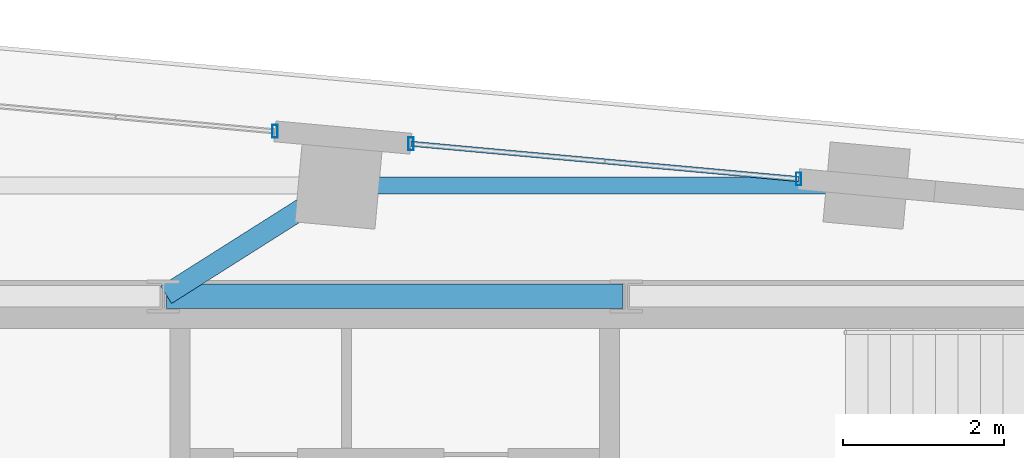
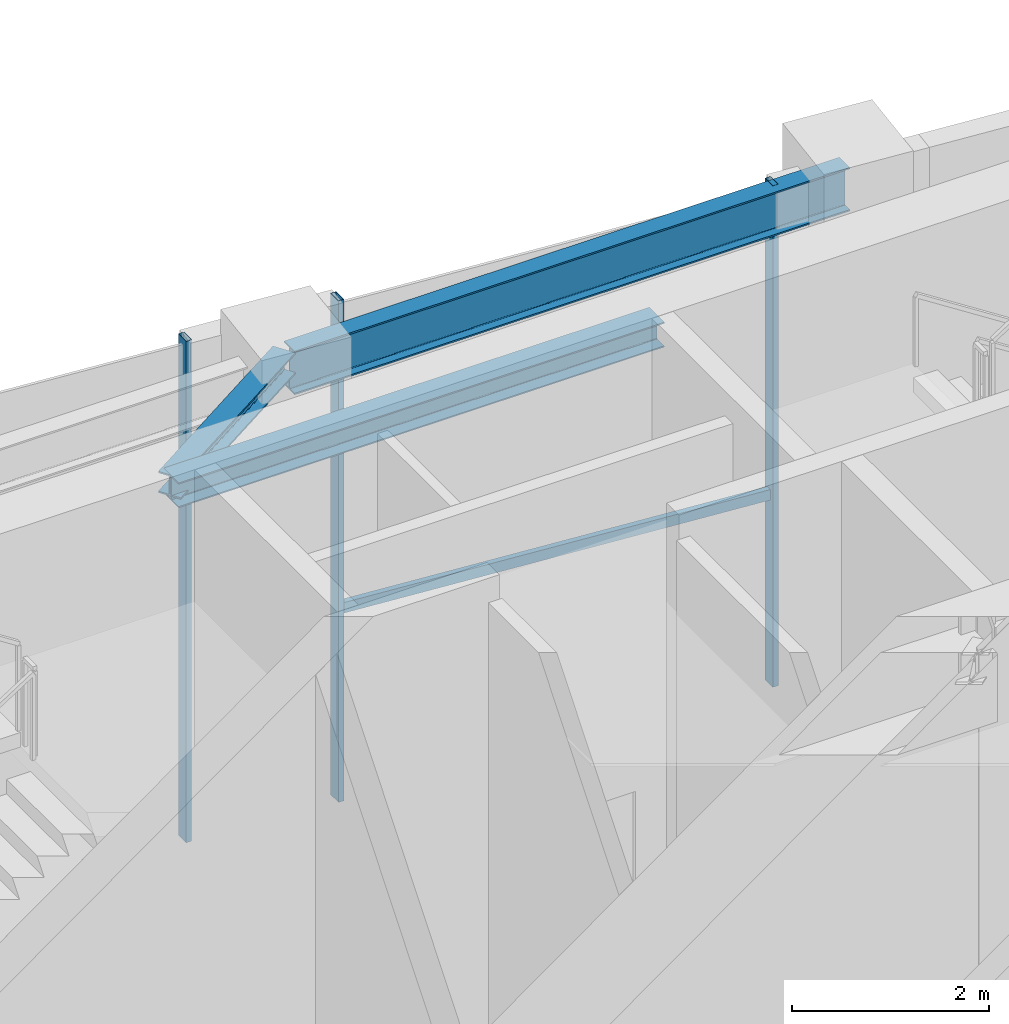
# One storey, part 8 of 18: 4 members, 3 beams, 2 elements without a shape of their own.
"""IFC4 building model written with IfcOpenShell, lengths in metres."""

from ifc_helpers import new_model, si_unit, direction, frame, origin, origin_2d, place, context, subcontext, project, spatial, hollow_rectangle, i_section, extrude, source, transform, mapped, material, material_profile, profile_set, type_object, type_shapes, element, aggregate, save


model = new_model("IFC4")

# Units and contexts
model_context = context("Model", 3, precision=1e-05, world=origin(), true_north=direction((0.0, 1.0)))
body_context = subcontext(model_context, "Body", "Model", "MODEL_VIEW")
ifc_project = project(units=[si_unit("LENGTHUNIT", "METRE"), si_unit("AREAUNIT", "SQUARE_METRE"), si_unit("VOLUMEUNIT", "CUBIC_METRE"), si_unit("PLANEANGLEUNIT", "RADIAN"), si_unit("MASSUNIT", "GRAM", prefix="KILO")], contexts=[model_context])

# Site, building, storey
site_placement = place(None, origin())
site = spatial("IfcSite", under=ifc_project, at=site_placement, CompositionType="ELEMENT")
building_placement = place(site_placement, origin())
building = spatial("IfcBuilding", under=site, at=building_placement, Name="Astriad Promenade Condominiums", CompositionType="ELEMENT")
storey_placement = place(building_placement, frame((0.0, 0.0, 264.300048828125)))
storey = spatial("IfcBuildingStorey", under=building, at=storey_placement, Name="L76", CompositionType="ELEMENT", Elevation=264.300048828125)

# Beams
ifc_material_1 = material(Name="Steel ASTM A992 Grade 50", Category="steel")
ifc_material_profile_1 = material_profile(ifc_material_1, i_section(OverallWidth=0.3046875, OverallDepth=0.307861328125, WebThickness=0.010009765625, FlangeThickness=0.015380859375, FilletRadius=0.01513671875, at=origin_2d()), Name="W12X65")
ifc_profile_set_1 = profile_set([ifc_material_profile_1], Name="Steel ASTM A992 Grade 50")
beam_type_1 = type_object("IfcBeamType", Name="STEEL OPENING LINTEL W12X65", PredefinedType="LINTEL", material=ifc_profile_set_1)
shared_shape_1 = source(origin(), body_context, "Body", "SweptSolid", [
    extrude(i_section(OverallWidth=0.3046875, OverallDepth=0.307861328125, WebThickness=0.010009765625, FlangeThickness=0.015380859375, FilletRadius=0.01513671875, at=origin_2d()), origin(), (0.0, 0.0, 1.0), 5.68017578125),
])
type_shapes(beam_type_1, [shared_shape_1])
beam_1_placement = place(storey_placement, frame((33.159912109375, 24.0, 6.046142578125), z_axis=(1.0, 0.0, 0.0), x_axis=(0.0, 1.0, 0.0)))
element("IfcBeam", 1, at=beam_1_placement, inside=storey, type_object=beam_type_1, Name="Core Ring Beam CG-N2-L76", PredefinedType="LINTEL", context=body_context, shape_type="MappedRepresentation", body=[
    mapped(shared_shape_1, transform((0.0, 0.0, 0.0), scale=1.0)),
])
ifc_material_profile_2 = material_profile(ifc_material_1, i_section(OverallWidth=0.210693359375, OverallDepth=0.53955078125, WebThickness=0.01171875, FlangeThickness=0.018798828125, FilletRadius=0.0166015625, at=origin_2d()), Name="W21X73")
ifc_profile_set_2 = profile_set([ifc_material_profile_2], Name="Steel ASTM A992 Grade 50")
beam_type_2 = type_object("IfcBeamType", Name="STEEL SPANDREL BEAM W21X73", PredefinedType="SPANDREL", material=ifc_profile_set_2)
shared_shape_2 = source(origin(), body_context, "Body", "SweptSolid", [
    extrude(i_section(OverallWidth=0.210693359375, OverallDepth=0.53955078125, WebThickness=0.01171875, FlangeThickness=0.018798828125, FilletRadius=0.0166015625, at=origin_2d()), origin(), (0.0, 0.0, 1.0), 6.49267578125),
])
type_shapes(beam_type_2, [shared_shape_2])
beam_2_placement = place(storey_placement, frame((41.8330078125, 25.3798828125, 5.93017578125), z_axis=(-1.0, 0.0, 0.0), x_axis=(0.0, -1.0, 0.0)))
element("IfcBeam", 2, at=beam_2_placement, inside=storey, type_object=beam_type_2, Name="Perimeter Spandrel Beam SP-N3-L76", PredefinedType="SPANDREL", context=body_context, shape_type="MappedRepresentation", body=[
    mapped(shared_shape_2, transform((0.0, 0.0, 0.0), scale=1.0)),
])
ifc_material_profile_3 = material_profile(ifc_material_1, i_section(OverallWidth=0.25732421875, OverallDepth=0.26416015625, WebThickness=0.011962890625, FlangeThickness=0.01953125, FilletRadius=0.0126953125, at=origin_2d()), Name="W10X68")
ifc_profile_set_3 = profile_set([ifc_material_profile_3], Name="Steel ASTM A992 Grade 50")
beam_type_3 = type_object("IfcBeamType", Name="STEEL CANOPY BEAM W10X68", PredefinedType="BEAM", material=ifc_profile_set_3)
shared_shape_3 = source(origin(), body_context, "Body", "SweptSolid", [
    extrude(i_section(OverallWidth=0.25732421875, OverallDepth=0.26416015625, WebThickness=0.011962890625, FlangeThickness=0.01953125, FilletRadius=0.0126953125, at=origin_2d()), origin(), (0.0, 0.0, 1.0), 2.50048828125),
])
type_shapes(beam_type_3, [shared_shape_3])
beam_3_placement = place(storey_placement, frame((35.2666015625, 25.358642578125, 6.06787109375), z_axis=(-0.844989692299, -0.534782591255, 0.0), x_axis=(0.534782591255, -0.844989692299, 0.0)))
element("IfcBeam", 3, at=beam_3_placement, inside=storey, type_object=beam_type_3, Name="Primary Floor Girder PG-NC-L76", PredefinedType="BEAM", context=body_context, shape_type="MappedRepresentation", body=[
    mapped(shared_shape_3, transform((0.0, 0.0, 0.0), scale=1.0)),
])

# Curtain wall, member
ifc_material_2 = material(Name="Anodised aluminium Black Dark Glass Unitised", Category="aluminium")
curtain_wall_type = type_object("IfcCurtainWallType", Name="CW-TMD-LANTERN", PredefinedType="USERDEFINED", material=ifc_material_2)
curtain_wall_1_placement = place(storey_placement, origin())
curtain_wall_1 = element("IfcCurtainWall", 4, at=curtain_wall_1_placement, inside=storey, type_object=curtain_wall_type, Name="CW-LNT-L76-08-1", ObjectType="UNITISED_CURTAIN_WALL", PredefinedType="USERDEFINED")
ifc_material_3 = material(Name="Anodised aluminium 6063-T6 Black", Category="aluminium")
ifc_material_profile_4 = material_profile(ifc_material_3, hollow_rectangle(XDim=0.06494140625, YDim=0.159912109375, WallThickness=0.00390625, at=origin_2d()), Name="ALU-MUL-65X160")
ifc_profile_set_4 = profile_set([ifc_material_profile_4], Name="Anodised aluminium 6063-T6 Black")
member_type_1 = type_object("IfcMemberType", Name="MUL-ALU-MUL-65X160", PredefinedType="MULLION", material=ifc_profile_set_4)
shared_shape_4 = source(origin(), body_context, "Body", "SweptSolid", [
    extrude(hollow_rectangle(XDim=0.06494140625, YDim=0.159912109375, WallThickness=0.00390625, at=origin_2d()), origin(), (0.0, 0.0, 1.0), 6.199951171875),
])
type_shapes(member_type_1, [shared_shape_4])
member_1_placement = place(storey_placement, frame((34.50830078125, 26.0546875, 0.0), z_axis=(0.0, 0.0, 1.0), x_axis=(1.0, 0.0, 0.0)))
member_1 = element("IfcMember", 5, at=member_1_placement, type_object=member_type_1, Name="CW-LNT-L76-08-1-MUL-03", PredefinedType="MULLION", context=body_context, shape_type="MappedRepresentation", body=[
    mapped(shared_shape_4, transform((0.0, 0.0, 0.0), scale=1.0)),
])
aggregate(curtain_wall_1, [member_1])

# Curtain wall, members
curtain_wall_2_placement = place(storey_placement, origin())
curtain_wall_2 = element("IfcCurtainWall", 6, at=curtain_wall_2_placement, inside=storey, type_object=curtain_wall_type, Name="CW-LNT-L76-08-2", ObjectType="UNITISED_CURTAIN_WALL", PredefinedType="USERDEFINED")
member_2_placement = place(storey_placement, frame((36.201171875, 25.900390625, 0.0), z_axis=(0.0, 0.0, 1.0), x_axis=(1.0, 0.0, 0.0)))
member_2 = element("IfcMember", 7, at=member_2_placement, type_object=member_type_1, Name="CW-LNT-L76-08-2-MUL-00", PredefinedType="MULLION", context=body_context, shape_type="MappedRepresentation", body=[
    mapped(shared_shape_4, transform((0.0, 0.0, 0.0), scale=1.0)),
])
member_3_placement = place(storey_placement, frame((41.027099609375, 25.461181640625, 0.0), z_axis=(0.0, 0.0, 1.0), x_axis=(1.0, 0.0, 0.0)))
member_3 = element("IfcMember", 8, at=member_3_placement, type_object=member_type_1, Name="CW-LNT-L76-08-2-MUL-01", PredefinedType="MULLION", context=body_context, shape_type="MappedRepresentation", body=[
    mapped(shared_shape_4, transform((0.0, 0.0, 0.0), scale=1.0)),
])
ifc_material_profile_5 = material_profile(ifc_material_3, hollow_rectangle(XDim=0.06494140625, YDim=0.1298828125, WallThickness=0.00390625, at=origin_2d()), Name="ALU-TRN-65X130")
ifc_profile_set_5 = profile_set([ifc_material_profile_5], Name="Anodised aluminium 6063-T6 Black")
member_type_2 = type_object("IfcMemberType", Name="TRN-ALU-TRN-65X130", PredefinedType="USERDEFINED", material=ifc_profile_set_5)
shared_shape_5 = source(origin(), body_context, "Body", "SweptSolid", [
    extrude(hollow_rectangle(XDim=0.06494140625, YDim=0.1298828125, WallThickness=0.00390625, at=origin_2d()), origin(), (0.0, 0.0, 1.0), 4.845947265625),
])
type_shapes(member_type_2, [shared_shape_5])
member_4_placement = place(storey_placement, frame((36.201171875, 25.900390625, 2.349853515625), z_axis=(0.995884116329, -0.090635681959, 0.0), x_axis=(0.090635681959, 0.995884116329, 0.0)))
member_4 = element("IfcMember", 9, at=member_4_placement, type_object=member_type_2, Name="CW-LNT-L76-08-2-TRN-00-0", ObjectType="TRANSOM", PredefinedType="USERDEFINED", context=body_context, shape_type="MappedRepresentation", body=[
    mapped(shared_shape_5, transform((0.0, 0.0, 0.0), scale=1.0)),
])
aggregate(curtain_wall_2, [member_2, member_3, member_4])

save(model, "model.ifc")
